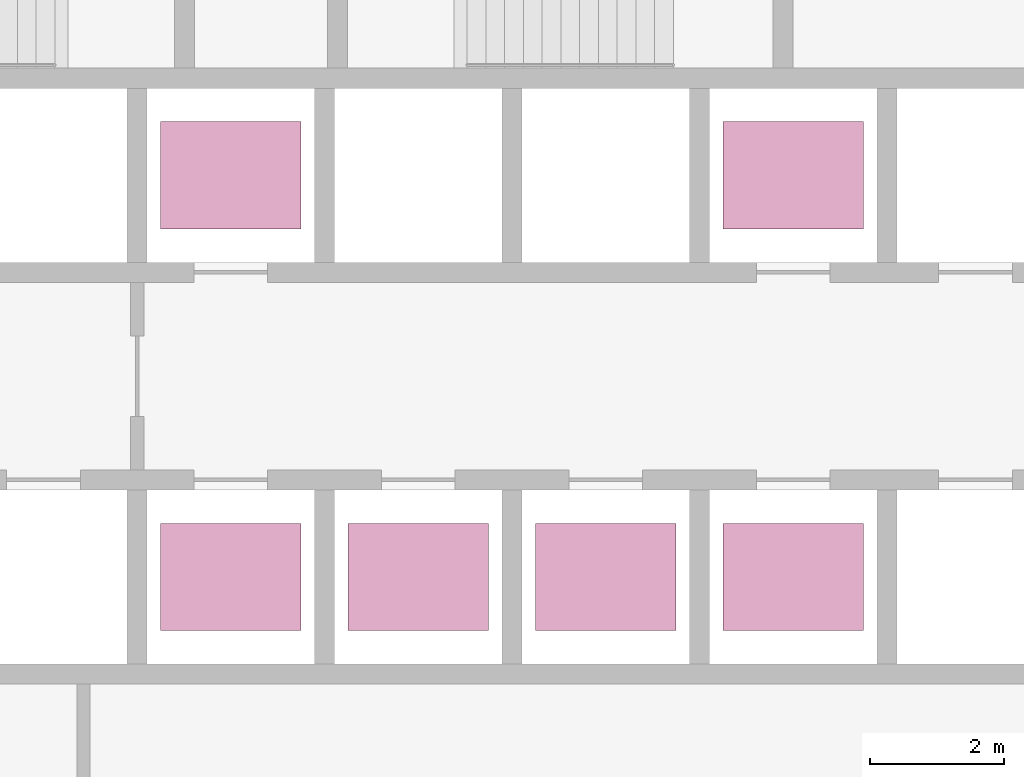
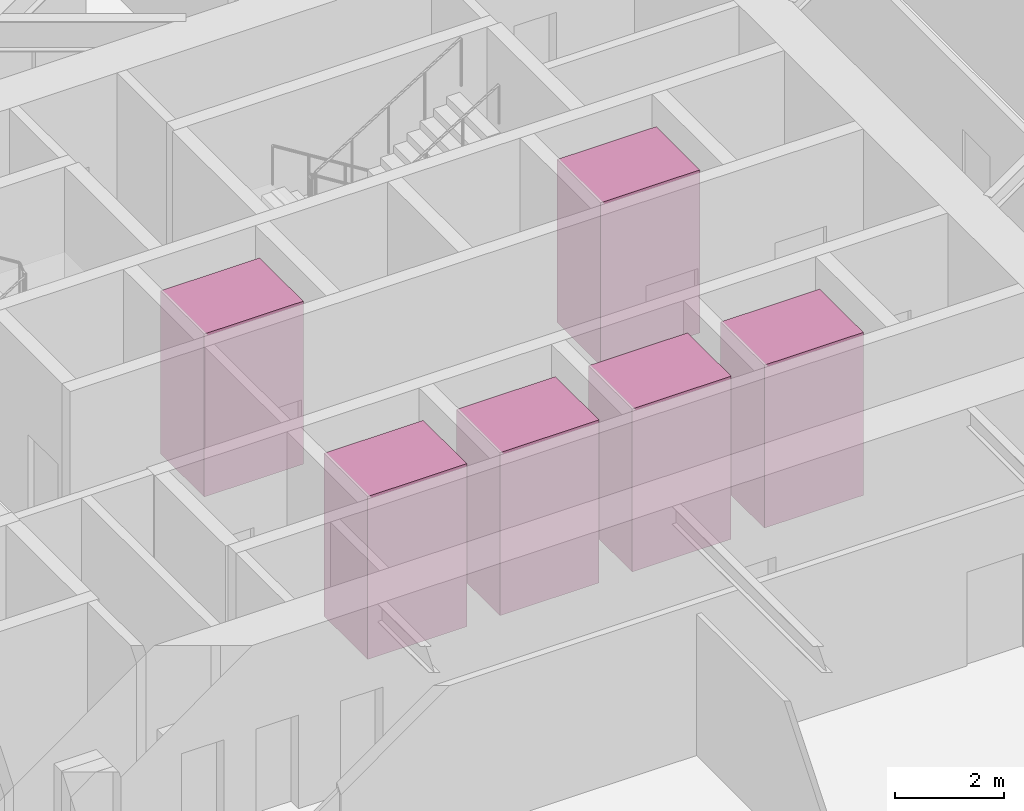
# One storey, part 21 of 21: 6 transport elements.
"""IFC4 building model written with IfcOpenShell, lengths in metres."""

from ifc_helpers import new_model, si_unit, direction, frame, origin, origin_2d, place, context, subcontext, project, spatial, rectangle, extrude, material, type_object, element, save


model = new_model("IFC4")

# Units and contexts
model_context = context("Model", 3, precision=1e-05, world=origin(), true_north=direction((0.0, 1.0)))
body_context = subcontext(model_context, "Body", "Model", "MODEL_VIEW")
ifc_project = project(units=[si_unit("LENGTHUNIT", "METRE"), si_unit("AREAUNIT", "SQUARE_METRE"), si_unit("VOLUMEUNIT", "CUBIC_METRE"), si_unit("PLANEANGLEUNIT", "RADIAN"), si_unit("MASSUNIT", "GRAM", prefix="KILO")], contexts=[model_context])

# Site, building, storey
site_placement = place(None, origin())
site = spatial("IfcSite", under=ifc_project, at=site_placement, CompositionType="ELEMENT")
building_placement = place(site_placement, origin())
building = spatial("IfcBuilding", under=site, at=building_placement, Name="Firuza Gate Tower and Library", CompositionType="ELEMENT")
storey_placement = place(building_placement, frame((0.0, 0.0, 107.199951171875)))
storey = spatial("IfcBuildingStorey", under=building, at=storey_placement, Name="L24", CompositionType="ELEMENT", Elevation=107.199951171875)

# Transport elements
ifc_material = material(Name="Stainless steel and glass", Category="steel")
transport_element_type = type_object("IfcTransportElementType", Name="Low-rise lift car 2100x1600", PredefinedType="ELEVATOR", material=ifc_material)
for number, where, z_axis, x_axis, name in (
    (1, (74.64990234375, 70.300048828125, 0.0), (0.0, 0.0, 1.0), (1.0, 0.0, 0.0), "Low-rise lift LR1"),
    (2, (77.449951171875, 70.300048828125, 0.0), (0.0, 0.0, 1.0), (1.0, 0.0, 0.0), "Low-rise lift LR2"),
    (3, (80.25, 70.300048828125, 0.0), (0.0, 0.0, 1.0), (1.0, 0.0, 0.0), "Low-rise lift LR3"),
    (4, (74.64990234375, 76.300048828125, 0.0), (0.0, 0.0, 1.0), (1.0, 0.0, 0.0), "Low-rise lift LR4"),
    (5, (83.050048828125, 70.300048828125, 0.0), (0.0, 0.0, 1.0), (1.0, 0.0, 0.0), "Low-rise lift LR5"),
    (6, (83.050048828125, 76.300048828125, 0.0), (0.0, 0.0, 1.0), (1.0, 0.0, 0.0), "Low-rise lift LR6"),
):
    element("IfcTransportElement", number, at=place(storey_placement, frame(where, z_axis=z_axis, x_axis=x_axis)), inside=storey, type_object=transport_element_type, Name=name, PredefinedType="ELEVATOR", context=body_context, shape_type="SweptSolid", body=[
        extrude(rectangle(XDim=2.10009765625, YDim=1.60009765625, at=origin_2d()), origin(), (0.0, 0.0, 1.0), 3.64990234375),
    ])

save(model, "model.ifc")
